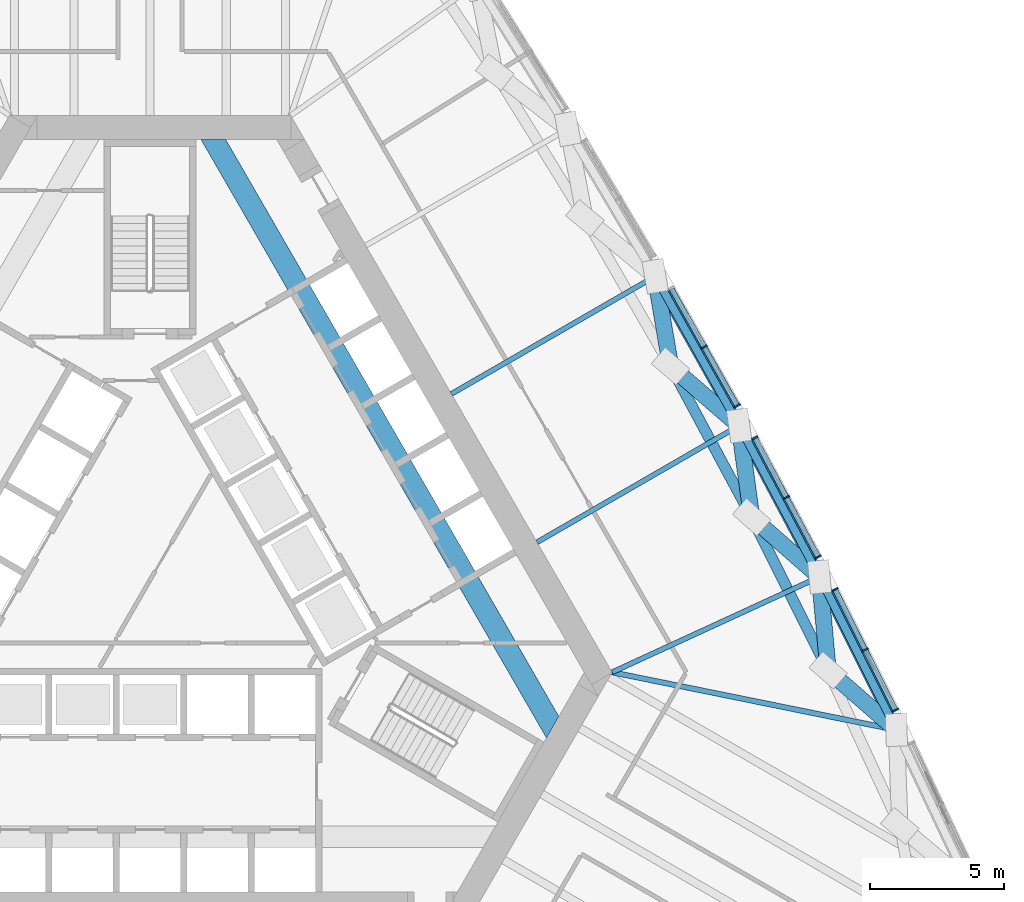
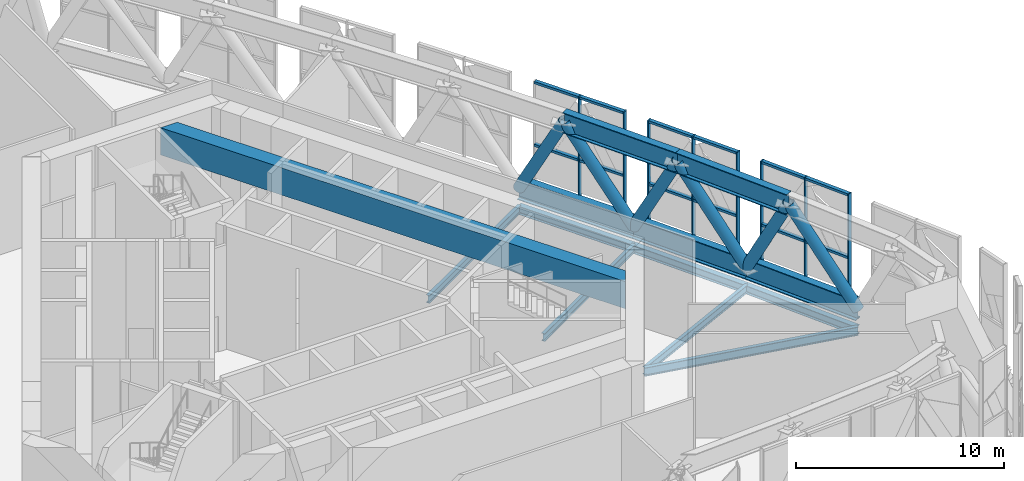
# One storey, part 7 of 33: 31 members, 8 beams, 1 element without a shape of its own.
"""IFC4 building model written with IfcOpenShell, lengths in metres."""

import ifcopenshell
import ifcopenshell.guid

model = None  # the IFC model being written
_history = None  # IfcOwnerHistory: only IFC2X3 demands one
_inside = {}  # id of a spatial element -> (the spatial element, [elements in it])
_under = {}  # id of a project, library or spatial element -> (it, [spatial elements below it])
_declared = {}  # id of a project -> (the project, [libraries it declares])
_typed = {}  # id of a type object -> (the type object, [elements of that type])
_made_of = {}  # id of a material, layer set ... -> (it, [elements and type objects made of it])


def new_model(schema):
    """Start an empty IFC model of exactly this schema.

    Asked for "IFC4X3", IfcOpenShell would pick the latest addendum, in which some entities
    have other attributes; the version numbers below select the first issue.
    IFC2X3 requires an IfcOwnerHistory on every rooted entity: one is made here for all.
    """
    global model, _history
    if schema == "IFC4X3":
        model = ifcopenshell.file(schema_version=(4, 3, 0, 0))
    else:
        model = ifcopenshell.file(schema=schema)
    _inside.clear()
    _under.clear()
    _declared.clear()
    _typed.clear()
    _made_of.clear()
    _history = None
    if model.schema == "IFC2X3":
        org = make("IfcOrganization", Name="unknown")
        user = make(
            "IfcPersonAndOrganization",
            ThePerson=make("IfcPerson", FamilyName="unknown"),
            TheOrganization=org,
        )
        app = make(
            "IfcApplication",
            ApplicationDeveloper=org,
            Version="unknown",
            ApplicationFullName="unknown",
            ApplicationIdentifier="unknown",
        )
        _history = make(
            "IfcOwnerHistory",
            OwningUser=user,
            OwningApplication=app,
            ChangeAction="ADDED",
            CreationDate=0,
        )
    return model


def make(cls, **values):
    """One entity of the class cls with the attributes given. An attribute that is None is left unset."""
    return model.create_entity(
        cls, **{name: value for name, value in values.items() if value is not None}
    )


def rooted(cls, **values):
    """An entity with a GlobalId (a new one), such as an element, a storey or a relation."""
    return make(cls, GlobalId=ifcopenshell.guid.new(), OwnerHistory=_history, **values)


def si_unit(unit_type, name, prefix=None):
    """IfcSIUnit, for example si_unit("LENGTHUNIT", "METRE", prefix="MILLI")."""
    return make("IfcSIUnit", UnitType=unit_type, Prefix=prefix, Name=name)


def assignment(units):
    """IfcUnitAssignment: the units of a project."""
    return None if units is None else make("IfcUnitAssignment", Units=units)


def point(xyz):
    """IfcCartesianPoint."""
    return None if xyz is None else make("IfcCartesianPoint", Coordinates=xyz)


def direction(xyz):
    """IfcDirection."""
    return None if xyz is None else make("IfcDirection", DirectionRatios=xyz)


def frame(location, z_axis=None, x_axis=None):
    """IfcAxis2Placement3D, a coordinate frame: its origin and axes. An axis left out is left unset."""
    return make(
        "IfcAxis2Placement3D",
        Location=point(location),
        Axis=direction(z_axis),
        RefDirection=direction(x_axis),
    )


def frame_2d(location, x_axis=None):
    """IfcAxis2Placement2D, a coordinate frame in the plane: its origin and x axis."""
    return make(
        "IfcAxis2Placement2D", Location=point(location), RefDirection=direction(x_axis)
    )


def origin():
    """The frame at (0, 0, 0) with its axes left unset."""
    return frame((0.0, 0.0, 0.0))


def origin_2d():
    """The frame at (0, 0) in the plane with its x axis left unset."""
    return frame_2d((0.0, 0.0))


def place(relative_to, where):
    """IfcLocalPlacement: puts the frame where relative to a parent placement (None: the world)."""
    return make(
        "IfcLocalPlacement", PlacementRelTo=relative_to, RelativePlacement=where
    )


def context(
    kind, dimensions, precision=None, world=None, true_north=None, identifier=None
):
    """IfcGeometricRepresentationContext, for example the 3D "Model" context."""
    return make(
        "IfcGeometricRepresentationContext",
        ContextIdentifier=identifier,
        ContextType=kind,
        CoordinateSpaceDimension=dimensions,
        Precision=precision,
        WorldCoordinateSystem=world,
        TrueNorth=true_north,
    )


def subcontext(parent, identifier, kind, view, scale=None):
    """IfcGeometricRepresentationSubContext, for example "Body" below "Model"."""
    return make(
        "IfcGeometricRepresentationSubContext",
        ContextIdentifier=identifier,
        ContextType=kind,
        ParentContext=parent,
        TargetScale=scale,
        TargetView=view,
    )


def project(units=None, contexts=None):
    """IfcProject with its units and contexts."""
    return rooted(
        "IfcProject",
        Name="project",
        RepresentationContexts=contexts,
        UnitsInContext=assignment(units),
    )


def spatial(cls, under=None, at=None, **own):
    """A site, building, storey or space (cls), placed at a placement, below another one or the project."""
    s = rooted(cls, ObjectPlacement=at, **own)
    if under is not None:
        _under.setdefault(under.id(), (under, []))[1].append(s)
    return s


def polyline(points):
    """IfcPolyline through the points."""
    return make("IfcPolyline", Points=[point(p) for p in points])


def profile(cls, at=None, kind="AREA", **sizes):
    """A parametric profile (cls). Its sizes go by their IFC names, for example OverallWidth=200.0."""
    return make(cls, ProfileType=kind, Position=at, **sizes)


def rectangle(**sizes):
    """IfcRectangleProfileDef."""
    return profile("IfcRectangleProfileDef", **sizes)


def hollow_circle(**sizes):
    """IfcCircleHollowProfileDef."""
    return profile("IfcCircleHollowProfileDef", **sizes)


def i_section(**sizes):
    """IfcIShapeProfileDef."""
    return profile("IfcIShapeProfileDef", **sizes)


def outline(outer, holes=None, kind="AREA"):
    """IfcArbitraryClosedProfileDef: a profile drawn as a closed curve; with holes, ...WithVoids."""
    if holes is None:
        return make("IfcArbitraryClosedProfileDef", ProfileType=kind, OuterCurve=outer)
    return make(
        "IfcArbitraryProfileDefWithVoids",
        ProfileType=kind,
        OuterCurve=outer,
        InnerCurves=holes,
    )


def extrude(swept, where, along, depth):
    """IfcExtrudedAreaSolid: the profile swept, set in the frame where, extruded along a direction by depth."""
    return make(
        "IfcExtrudedAreaSolid",
        SweptArea=swept,
        Position=where,
        ExtrudedDirection=direction(along),
        Depth=depth,
    )


def shape(context_of_items, identifier, shape_type, items):
    """IfcShapeRepresentation: the items that make up one representation, for example the "Body"."""
    return make(
        "IfcShapeRepresentation",
        ContextOfItems=context_of_items,
        RepresentationIdentifier=identifier,
        RepresentationType=shape_type,
        Items=items,
    )


def material(Name=None, Category=None):
    """IfcMaterial."""
    return make("IfcMaterial", Name=Name, Category=Category)


def material_profile(
    of_material, cross_section, Name=None, Category=None, Priority=None
):
    """IfcMaterialProfile: a cross section and its material."""
    return make(
        "IfcMaterialProfile",
        Name=Name,
        Material=of_material,
        Profile=cross_section,
        Priority=Priority,
        Category=Category,
    )


def profile_set(profiles, Name=None, composite=None):
    """IfcMaterialProfileSet."""
    return make(
        "IfcMaterialProfileSet",
        Name=Name,
        MaterialProfiles=profiles,
        CompositeProfile=composite,
    )


def made_of(thing, what):
    """Note that an element or type object is made of a material, layer set ...; save() writes the relation."""
    if what is not None:
        _made_of.setdefault(what.id(), (what, []))[1].append(thing)
    return thing


def type_object(cls, material=None, **own):
    """A type object (cls), such as IfcWallType, which elements share."""
    return made_of(rooted(cls, **own), material)


def element(
    cls,
    number,
    at=None,
    inside=None,
    cuts=None,
    type_object=None,
    material=None,
    context=None,
    identifier="Body",
    shape_type=None,
    held_by="IfcProductDefinitionShape",
    body=None,
    shapes=None,
    **own,
):
    """One element of the class cls, such as IfcWall. Its Tag is "e" and its number.

    at: its placement. inside: the storey or other place that contains it. cuts: it is an
    opening in that element (IfcRelVoidsElement). A single representation is given by context,
    identifier, shape_type and body (its items); several are given by shapes. held_by: the class
    of the entity that holds the representations. save() writes the other relations.
    """
    e = rooted(cls, Tag="e%d" % number, ObjectPlacement=at, **own)
    if body is not None:
        shapes = [shape(context, identifier, shape_type, body)]
    if shapes is not None:
        e.Representation = make(held_by, Representations=shapes)
    if inside is not None:
        _inside.setdefault(inside.id(), (inside, []))[1].append(e)
    if cuts is not None:
        rooted(
            "IfcRelVoidsElement", RelatingBuildingElement=cuts, RelatedOpeningElement=e
        )
    if type_object is not None:
        _typed.setdefault(type_object.id(), (type_object, []))[1].append(e)
    return made_of(e, material)


def aggregate(whole, parts):
    """IfcRelAggregates: a whole, such as a stair, and the parts it consists of."""
    return rooted("IfcRelAggregates", RelatingObject=whole, RelatedObjects=parts)


def save(model, path):
    """Write the relations noted so far, then the file.

    IfcRelAggregates (storeys below a building ...), IfcRelContainedInSpatialStructure (elements
    in a storey), IfcRelDefinesByType, IfcRelAssociatesMaterial and IfcRelDeclares: one each for
    every whole, place, type object, material and project.
    """
    for whole, parts in _under.values():
        aggregate(whole, parts)
    for where, things in _inside.values():
        rooted(
            "IfcRelContainedInSpatialStructure",
            RelatedElements=things,
            RelatingStructure=where,
        )
    for kind, things in _typed.values():
        rooted("IfcRelDefinesByType", RelatedObjects=things, RelatingType=kind)
    for what, things in _made_of.values():
        rooted("IfcRelAssociatesMaterial", RelatedObjects=things, RelatingMaterial=what)
    for by, libraries in _declared.values():
        rooted("IfcRelDeclares", RelatingContext=by, RelatedDefinitions=libraries)
    model.write(path)


model = new_model("IFC4")

# Units and contexts
model_context = context("Model", 3, precision=1e-05, world=origin(), true_north=direction((0.0, 1.0)))
body_context = subcontext(model_context, "Body", "Model", "MODEL_VIEW")
ifc_project = project(units=[si_unit("LENGTHUNIT", "METRE"), si_unit("AREAUNIT", "SQUARE_METRE"), si_unit("VOLUMEUNIT", "CUBIC_METRE"), si_unit("PLANEANGLEUNIT", "RADIAN"), si_unit("MASSUNIT", "GRAM", prefix="KILO")], contexts=[model_context])

# Site, building, storey
site_placement = place(None, origin())
site = spatial("IfcSite", under=ifc_project, at=site_placement, CompositionType="ELEMENT")
building_placement = place(site_placement, origin())
building = spatial("IfcBuilding", under=site, at=building_placement, Name="Mestral Congress Tower", CompositionType="ELEMENT")
storey_placement = place(building_placement, frame((0.0, 0.0, 134.39990234375)))
storey = spatial("IfcBuildingStorey", under=building, at=storey_placement, Name="L32", CompositionType="ELEMENT", Elevation=134.39990234375)

# Members
ifc_material_1 = material(Name="Steel S355", Category="steel")
ifc_material_profile_1 = material_profile(ifc_material_1, i_section(OverallWidth=0.39990234375, OverallDepth=1.199951171875, WebThickness=0.02001953125, FlangeThickness=0.0400390625, FilletRadius=0.010009765625, at=origin_2d()), Name="WPG 1200")
ifc_profile_set_1 = profile_set([ifc_material_profile_1], Name="Steel S355")
member_type_1 = type_object("IfcMemberType", Name="Belt chord WPG 1200 S355", PredefinedType="CHORD", material=ifc_profile_set_1)
member_1_placement = place(storey_placement, frame((27.8828125, -6.0537109375, 0.60009765625), z_axis=(-0.448555936264, 0.893754760571, 0.0), x_axis=(-0.893754760571, -0.448555936264, 0.0)))
element("IfcMember", 1, at=member_1_placement, inside=storey, type_object=member_type_1, Name="MB-L32-BC2-E01", PredefinedType="CHORD", context=body_context, shape_type="SweptSolid", body=[
    extrude(i_section(OverallWidth=0.39990234375, OverallDepth=1.199951171875, WebThickness=0.02001953125, FlangeThickness=0.0400390625, FilletRadius=0.010009765625, at=origin_2d()), origin(), (0.0, 0.0, 1.0), 6.399658203125),
])
for number, where, z_axis, x_axis, name in (
    (2, (25.01220703125, -0.333984375, 0.60009765625), (-0.469292819228, 0.88304260929, 0.0), (-0.88304260929, -0.469292819228, 0.0), "MB-L32-BC2-E02"),
    (3, (22.0087890625, 5.3173828125, 0.60009765625), (-0.489860914929, 0.871800598775, 0.0), (-0.871800598775, -0.489860914929, 0.0), "MB-L32-BC2-E03"),
    (4, (25.332275390625, -3.831787109375, 6.35009765625), (-0.446252014681, 0.894907335646, 0.0), (-0.894907335646, -0.446252014681, 0.0), "MB-L32-TC2-E01"),
):
    element("IfcMember", number, at=place(storey_placement, frame(where, z_axis=z_axis, x_axis=x_axis)), inside=storey, type_object=member_type_1, Name=name, PredefinedType="CHORD", context=body_context, shape_type="SweptSolid", body=[
        extrude(i_section(OverallWidth=0.39990234375, OverallDepth=1.199951171875, WebThickness=0.02001953125, FlangeThickness=0.0400390625, FilletRadius=0.010009765625, at=origin_2d()), origin(), (0.0, 0.0, 1.0), 6.39990234375),
    ])
member_2_placement = place(storey_placement, frame((22.476318359375, 1.8955078125, 6.35009765625), z_axis=(-0.473312507767, 0.880894585062, 0.0), x_axis=(-0.880894585062, -0.473312507767, 0.0)))
element("IfcMember", 5, at=member_2_placement, inside=storey, type_object=member_type_1, Name="MB-L32-TC2-E02", PredefinedType="CHORD", context=body_context, shape_type="SweptSolid", body=[
    extrude(i_section(OverallWidth=0.39990234375, OverallDepth=1.199951171875, WebThickness=0.02001953125, FlangeThickness=0.0400390625, FilletRadius=0.010009765625, at=origin_2d()), origin(), (0.0, 0.0, 1.0), 6.399658203125),
])
ifc_material_profile_2 = material_profile(ifc_material_1, hollow_circle(Radius=0.304931640625, WallThickness=0.02490234375, at=origin_2d()), Name="CHS 610x25")
ifc_profile_set_2 = profile_set([ifc_material_profile_2], Name="Steel S355")
member_type_2 = type_object("IfcMemberType", Name="Belt diagonal CHS 610x25 S355", PredefinedType="BRACE", material=ifc_profile_set_2)
member_3_placement = place(storey_placement, frame((27.8828125, -6.0537109375, 0.60009765625), z_axis=(-0.382321552248, 0.333062931656, 0.861916071461), x_axis=(-0.656862823729, -0.754010099934, 0.0)))
element("IfcMember", 6, at=member_3_placement, inside=storey, type_object=member_type_2, Name="MD-L32-BD2-E01.E01", PredefinedType="BRACE", context=body_context, shape_type="SweptSolid", body=[
    extrude(hollow_circle(Radius=0.304931640625, WallThickness=0.02490234375, at=origin_2d()), origin(), (0.0, 0.0, 1.0), 6.671142578125),
])
member_4_placement = place(storey_placement, frame((25.01220703125, -0.333984375, 0.60009765625), z_axis=(0.047502545747, -0.519122023585, 0.853379067459), x_axis=(0.995839476972, 0.09112483802, 0.0)))
element("IfcMember", 7, at=member_4_placement, inside=storey, type_object=member_type_2, Name="MD-L32-BD2-E02.E01", PredefinedType="BRACE", context=body_context, shape_type="SweptSolid", body=[
    extrude(hollow_circle(Radius=0.304931640625, WallThickness=0.02490234375, at=origin_2d()), origin(), (0.0, 0.0, 1.0), 6.738037109375),
])
member_5_placement = place(storey_placement, frame((25.01220703125, -0.333984375, 0.60009765625), z_axis=(-0.380300213818, 0.33435078007, 0.862311604489), x_axis=(-0.660279017677, -0.751020385087, 0.0)))
element("IfcMember", 8, at=member_5_placement, inside=storey, type_object=member_type_2, Name="MD-L32-BD2-E02.E02", PredefinedType="BRACE", context=body_context, shape_type="SweptSolid", body=[
    extrude(hollow_circle(Radius=0.304931640625, WallThickness=0.02490234375, at=origin_2d()), origin(), (0.0, 0.0, 1.0), 6.668212890625),
])
member_6_placement = place(storey_placement, frame((22.0087890625, 5.3173828125, 0.60009765625), z_axis=(0.069702656003, -0.510157925088, 0.857251673207), x_axis=(0.990794860837, 0.135371872039, 0.0)))
element("IfcMember", 9, at=member_6_placement, inside=storey, type_object=member_type_2, Name="MD-L32-BD2-E03.E02", PredefinedType="BRACE", context=body_context, shape_type="SweptSolid", body=[
    extrude(hollow_circle(Radius=0.304931640625, WallThickness=0.02490234375, at=origin_2d()), origin(), (0.0, 0.0, 1.0), 6.70751953125),
])
member_7_placement = place(storey_placement, frame((22.0087890625, 5.3173828125, 0.60009765625), z_axis=(-0.383847677747, 0.332007022069, 0.86164511116), x_axis=(-0.654186484445, -0.756333288683, 0.0)))
element("IfcMember", 10, at=member_7_placement, inside=storey, type_object=member_type_2, Name="MD-L32-BD2-E03.E03", PredefinedType="BRACE", context=body_context, shape_type="SweptSolid", body=[
    extrude(hollow_circle(Radius=0.304931640625, WallThickness=0.02490234375, at=origin_2d()), origin(), (0.0, 0.0, 1.0), 6.67333984375),
])
member_8_placement = place(storey_placement, frame((18.873779296875, 10.896728515625, 0.60009765625), z_axis=(0.085770619954, -0.503085398777, 0.859970047321), x_axis=(0.985776059223, 0.168064157578, 0.0)))
element("IfcMember", 11, at=member_8_placement, inside=storey, type_object=member_type_2, Name="MD-L32-BD2-E04.E03", PredefinedType="BRACE", context=body_context, shape_type="SweptSolid", body=[
    extrude(hollow_circle(Radius=0.304931640625, WallThickness=0.02490234375, at=origin_2d()), origin(), (0.0, 0.0, 1.0), 6.686279296875),
])

# Beam
ifc_material_2 = material(Name="Concrete C60/75", Category="concrete")
beam_type_1 = type_object("IfcBeamType", Name="Core transfer wall beam RC 800x1600", PredefinedType="BEAM", material=ifc_material_2)
beam_1_placement = place(storey_placement, frame((0.0, 0.0, 5.35009765625)))
element("IfcBeam", 12, at=beam_1_placement, inside=storey, type_object=beam_type_1, Name="L32 core transfer wall beam", PredefinedType="BEAM", context=body_context, shape_type="SweptSolid", body=[
    extrude(outline(polyline([(15.27099609375, -5.550048828125), (14.80908203125, -6.35009765625), (1.9052734375, 16.0), (2.8291015625, 16.0), (15.27099609375, -5.550048828125)])), origin(), (0.0, 0.0, 1.0), 1.60009765625),
])

# Curtain wall, members
ifc_material_3 = material(Name="Clear low-emissivity double glazing", Category="glass")
curtain_wall_type = type_object("IfcCurtainWallType", Name="Facade sky lobby curtain wall", PredefinedType="USERDEFINED", material=ifc_material_3)
curtain_wall_placement = place(storey_placement, origin())
curtain_wall = element("IfcCurtainWall", 13, at=curtain_wall_placement, inside=storey, type_object=curtain_wall_type, Name="Facade sky lobby curtain wall face 2", ObjectType="CURTAIN WALL", PredefinedType="USERDEFINED")
ifc_material_4 = material(Name="Anodised aluminium", Category="aluminium")
ifc_material_profile_3 = material_profile(ifc_material_4, rectangle(XDim=0.25, YDim=0.06005859375, at=origin_2d()), Name="CW1 mullion 250 x 60")
ifc_profile_set_3 = profile_set([ifc_material_profile_3], Name="Anodised aluminium")
member_type_3 = type_object("IfcMemberType", Name="Facade sky lobby curtain wall mullion", PredefinedType="MULLION", material=ifc_profile_set_3)
member_9_placement = place(storey_placement, frame((27.84619140625, -5.311767578125, 0.0), z_axis=(0.0, 0.0, 1.0), x_axis=(0.893761587201, 0.448542333838, 0.0)))
member_9 = element("IfcMember", 14, at=member_9_placement, type_object=member_type_3, Name="Facade sky lobby curtain wall mullion", PredefinedType="MULLION", context=body_context, shape_type="SweptSolid", body=[
    extrude(rectangle(XDim=0.25, YDim=0.06005859375, at=origin_2d()), origin(), (0.0, 0.0, 1.0), 6.9501953125),
])
member_10_placement = place(storey_placement, frame((26.7158203125, -3.059326171875, 0.0), z_axis=(0.0, 0.0, 1.0), x_axis=(0.893761587201, 0.448542333838, 0.0)))
member_10 = element("IfcMember", 15, at=member_10_placement, type_object=member_type_3, Name="Facade sky lobby curtain wall mullion", PredefinedType="MULLION", context=body_context, shape_type="SweptSolid", body=[
    extrude(rectangle(XDim=0.25, YDim=0.06005859375, at=origin_2d()), origin(), (0.0, 0.0, 1.0), 6.9501953125),
])
member_11_placement = place(storey_placement, frame((25.58544921875, -0.806884765625, 0.0), z_axis=(0.0, 0.0, 1.0), x_axis=(0.893761587201, 0.448542333838, 0.0)))
member_11 = element("IfcMember", 16, at=member_11_placement, type_object=member_type_3, Name="Facade sky lobby curtain wall mullion", PredefinedType="MULLION", context=body_context, shape_type="SweptSolid", body=[
    extrude(rectangle(XDim=0.25, YDim=0.06005859375, at=origin_2d()), origin(), (0.0, 0.0, 1.0), 6.9501953125),
])
member_12_placement = place(storey_placement, frame((24.958251953125, 0.406982421875, 0.0), z_axis=(0.0, 0.0, 1.0), x_axis=(0.883024602926, 0.469326699248, 0.0)))
member_12 = element("IfcMember", 17, at=member_12_placement, type_object=member_type_3, Name="Facade sky lobby curtain wall mullion", PredefinedType="MULLION", context=body_context, shape_type="SweptSolid", body=[
    extrude(rectangle(XDim=0.25, YDim=0.06005859375, at=origin_2d()), origin(), (0.0, 0.0, 1.0), 6.9501953125),
])
member_13_placement = place(storey_placement, frame((23.775390625, 2.632568359375, 0.0), z_axis=(0.0, 0.0, 1.0), x_axis=(0.883024602926, 0.469326699248, 0.0)))
member_13 = element("IfcMember", 18, at=member_13_placement, type_object=member_type_3, Name="Facade sky lobby curtain wall mullion", PredefinedType="MULLION", context=body_context, shape_type="SweptSolid", body=[
    extrude(rectangle(XDim=0.25, YDim=0.06005859375, at=origin_2d()), origin(), (0.0, 0.0, 1.0), 6.9501953125),
])
member_14_placement = place(storey_placement, frame((22.592529296875, 4.85791015625, 0.0), z_axis=(0.0, 0.0, 1.0), x_axis=(0.883024602926, 0.469326699248, 0.0)))
member_14 = element("IfcMember", 19, at=member_14_placement, type_object=member_type_3, Name="Facade sky lobby curtain wall mullion", PredefinedType="MULLION", context=body_context, shape_type="SweptSolid", body=[
    extrude(rectangle(XDim=0.25, YDim=0.06005859375, at=origin_2d()), origin(), (0.0, 0.0, 1.0), 6.9501953125),
])
member_15_placement = place(storey_placement, frame((21.937255859375, 6.056884765625, 0.0), z_axis=(0.0, 0.0, 1.0), x_axis=(0.871814622705, 0.489835955844, 0.0)))
member_15 = element("IfcMember", 20, at=member_15_placement, type_object=member_type_3, Name="Facade sky lobby curtain wall mullion", PredefinedType="MULLION", context=body_context, shape_type="SweptSolid", body=[
    extrude(rectangle(XDim=0.25, YDim=0.06005859375, at=origin_2d()), origin(), (0.0, 0.0, 1.0), 6.9501953125),
])
member_16_placement = place(storey_placement, frame((20.702880859375, 8.25390625, 0.0), z_axis=(0.0, 0.0, 1.0), x_axis=(0.871814622705, 0.489835955844, 0.0)))
member_16 = element("IfcMember", 21, at=member_16_placement, type_object=member_type_3, Name="Facade sky lobby curtain wall mullion", PredefinedType="MULLION", context=body_context, shape_type="SweptSolid", body=[
    extrude(rectangle(XDim=0.25, YDim=0.06005859375, at=origin_2d()), origin(), (0.0, 0.0, 1.0), 6.9501953125),
])
ifc_material_profile_4 = material_profile(ifc_material_4, rectangle(XDim=0.199951171875, YDim=0.139892578125, at=origin_2d()), Name="CW1 transom 200 x 140")
ifc_profile_set_4 = profile_set([ifc_material_profile_4], Name="Anodised aluminium")
member_type_4 = type_object("IfcMemberType", Name="Facade sky lobby curtain wall transom", PredefinedType="USERDEFINED", material=ifc_profile_set_4)
member_17_placement = place(storey_placement, frame((27.832763671875, -5.284912109375, 3.2001953125), z_axis=(-0.448562744168, 0.8937513438, 0.0), x_axis=(-0.8937513438, -0.448562744168, 0.0)))
member_17 = element("IfcMember", 22, at=member_17_placement, type_object=member_type_4, Name="Facade sky lobby curtain wall transom", ObjectType="TRANSOM", PredefinedType="USERDEFINED", context=body_context, shape_type="SweptSolid", body=[
    extrude(rectangle(XDim=0.199951171875, YDim=0.139892578125, at=origin_2d()), origin(), (0.0, 0.0, 1.0), 2.460205078125),
])
member_18_placement = place(storey_placement, frame((27.832763671875, -5.284912109375, 6.880126953125), z_axis=(-0.448562744168, 0.8937513438, 0.0), x_axis=(-0.8937513438, -0.448562744168, 0.0)))
member_18 = element("IfcMember", 23, at=member_18_placement, type_object=member_type_4, Name="Facade sky lobby curtain wall transom", ObjectType="TRANSOM", PredefinedType="USERDEFINED", context=body_context, shape_type="SweptSolid", body=[
    extrude(rectangle(XDim=0.199951171875, YDim=0.139892578125, at=origin_2d()), origin(), (0.0, 0.0, 1.0), 2.460205078125),
])
member_19_placement = place(storey_placement, frame((26.702392578125, -3.032470703125, 3.2001953125), z_axis=(-0.448562744168, 0.8937513438, 0.0), x_axis=(-0.8937513438, -0.448562744168, 0.0)))
member_19 = element("IfcMember", 24, at=member_19_placement, type_object=member_type_4, Name="Facade sky lobby curtain wall transom", ObjectType="TRANSOM", PredefinedType="USERDEFINED", context=body_context, shape_type="SweptSolid", body=[
    extrude(rectangle(XDim=0.199951171875, YDim=0.139892578125, at=origin_2d()), origin(), (0.0, 0.0, 1.0), 2.460205078125),
])
member_20_placement = place(storey_placement, frame((26.702392578125, -3.032470703125, 6.880126953125), z_axis=(-0.448562744168, 0.8937513438, 0.0), x_axis=(-0.8937513438, -0.448562744168, 0.0)))
member_20 = element("IfcMember", 25, at=member_20_placement, type_object=member_type_4, Name="Facade sky lobby curtain wall transom", ObjectType="TRANSOM", PredefinedType="USERDEFINED", context=body_context, shape_type="SweptSolid", body=[
    extrude(rectangle(XDim=0.199951171875, YDim=0.139892578125, at=origin_2d()), origin(), (0.0, 0.0, 1.0), 2.460205078125),
])
member_21_placement = place(storey_placement, frame((24.944091796875, 0.43359375, 3.2001953125), z_axis=(-0.469305174896, 0.883036042762, 0.0), x_axis=(-0.883036042762, -0.469305174896, 0.0)))
member_21 = element("IfcMember", 26, at=member_21_placement, type_object=member_type_4, Name="Facade sky lobby curtain wall transom", ObjectType="TRANSOM", PredefinedType="USERDEFINED", context=body_context, shape_type="SweptSolid", body=[
    extrude(rectangle(XDim=0.199951171875, YDim=0.139892578125, at=origin_2d()), origin(), (0.0, 0.0, 1.0), 2.460205078125),
])
member_22_placement = place(storey_placement, frame((24.944091796875, 0.43359375, 6.880126953125), z_axis=(-0.469305174896, 0.883036042762, 0.0), x_axis=(-0.883036042762, -0.469305174896, 0.0)))
member_22 = element("IfcMember", 27, at=member_22_placement, type_object=member_type_4, Name="Facade sky lobby curtain wall transom", ObjectType="TRANSOM", PredefinedType="USERDEFINED", context=body_context, shape_type="SweptSolid", body=[
    extrude(rectangle(XDim=0.199951171875, YDim=0.139892578125, at=origin_2d()), origin(), (0.0, 0.0, 1.0), 2.460205078125),
])
member_23_placement = place(storey_placement, frame((23.761474609375, 2.658935546875, 3.2001953125), z_axis=(-0.469382552013, 0.882994914971, 0.0), x_axis=(-0.882994914971, -0.469382552013, 0.0)))
member_23 = element("IfcMember", 28, at=member_23_placement, type_object=member_type_4, Name="Facade sky lobby curtain wall transom", ObjectType="TRANSOM", PredefinedType="USERDEFINED", context=body_context, shape_type="SweptSolid", body=[
    extrude(rectangle(XDim=0.199951171875, YDim=0.139892578125, at=origin_2d()), origin(), (0.0, 0.0, 1.0), 2.460205078125),
])
member_24_placement = place(storey_placement, frame((23.761474609375, 2.658935546875, 6.880126953125), z_axis=(-0.469382552013, 0.882994914971, 0.0), x_axis=(-0.882994914971, -0.469382552013, 0.0)))
member_24 = element("IfcMember", 29, at=member_24_placement, type_object=member_type_4, Name="Facade sky lobby curtain wall transom", ObjectType="TRANSOM", PredefinedType="USERDEFINED", context=body_context, shape_type="SweptSolid", body=[
    extrude(rectangle(XDim=0.199951171875, YDim=0.139892578125, at=origin_2d()), origin(), (0.0, 0.0, 1.0), 2.460205078125),
])
member_25_placement = place(storey_placement, frame((21.922607421875, 6.0830078125, 3.2001953125), z_axis=(-0.48984184817, 0.871811312029, 0.0), x_axis=(-0.871811312029, -0.48984184817, 0.0)))
member_25 = element("IfcMember", 30, at=member_25_placement, type_object=member_type_4, Name="Facade sky lobby curtain wall transom", ObjectType="TRANSOM", PredefinedType="USERDEFINED", context=body_context, shape_type="SweptSolid", body=[
    extrude(rectangle(XDim=0.199951171875, YDim=0.139892578125, at=origin_2d()), origin(), (0.0, 0.0, 1.0), 2.460205078125),
])
member_26_placement = place(storey_placement, frame((21.922607421875, 6.0830078125, 6.880126953125), z_axis=(-0.48984184817, 0.871811312029, 0.0), x_axis=(-0.871811312029, -0.48984184817, 0.0)))
member_26 = element("IfcMember", 31, at=member_26_placement, type_object=member_type_4, Name="Facade sky lobby curtain wall transom", ObjectType="TRANSOM", PredefinedType="USERDEFINED", context=body_context, shape_type="SweptSolid", body=[
    extrude(rectangle(XDim=0.199951171875, YDim=0.139892578125, at=origin_2d()), origin(), (0.0, 0.0, 1.0), 2.460205078125),
])
member_27_placement = place(storey_placement, frame((20.68798828125, 8.2802734375, 3.2001953125), z_axis=(-0.489766415861, 0.871853690647, 0.0), x_axis=(-0.871853690647, -0.489766415861, 0.0)))
member_27 = element("IfcMember", 32, at=member_27_placement, type_object=member_type_4, Name="Facade sky lobby curtain wall transom", ObjectType="TRANSOM", PredefinedType="USERDEFINED", context=body_context, shape_type="SweptSolid", body=[
    extrude(rectangle(XDim=0.199951171875, YDim=0.139892578125, at=origin_2d()), origin(), (0.0, 0.0, 1.0), 2.4599609375),
])
member_28_placement = place(storey_placement, frame((20.68798828125, 8.2802734375, 6.880126953125), z_axis=(-0.489766415861, 0.871853690647, 0.0), x_axis=(-0.871853690647, -0.489766415861, 0.0)))
member_28 = element("IfcMember", 33, at=member_28_placement, type_object=member_type_4, Name="Facade sky lobby curtain wall transom", ObjectType="TRANSOM", PredefinedType="USERDEFINED", context=body_context, shape_type="SweptSolid", body=[
    extrude(rectangle(XDim=0.199951171875, YDim=0.139892578125, at=origin_2d()), origin(), (0.0, 0.0, 1.0), 2.4599609375),
])
aggregate(curtain_wall, [member_9, member_10, member_11, member_17, member_18, member_19, member_20, member_12, member_13, member_14, member_21, member_22, member_23, member_24, member_15, member_16, member_25, member_26, member_27, member_28])

# Beams
ifc_material_profile_5 = material_profile(ifc_material_1, i_section(OverallWidth=0.18994140625, OverallDepth=0.449951171875, WebThickness=0.009521484375, FlangeThickness=0.0146484375, FilletRadius=0.02099609375, at=origin_2d()), Name="IPE 450")
ifc_profile_set_5 = profile_set([ifc_material_profile_5], Name="Steel S355")
beam_type_2 = type_object("IfcBeamType", Name="Floor beam IPE 450 S355", PredefinedType="BEAM", material=ifc_profile_set_5)
beam_2_placement = place(storey_placement, frame((25.01220703125, -0.333984375, -0.625), z_axis=(-0.908439594169, -0.418016152493, 0.0), x_axis=(0.418016152493, -0.908439594169, 0.0)))
element("IfcBeam", 34, at=beam_2_placement, inside=storey, type_object=beam_type_2, Name="BM-L32-RB2-E02", PredefinedType="BEAM", context=body_context, shape_type="SweptSolid", body=[
    extrude(i_section(OverallWidth=0.18994140625, OverallDepth=0.449951171875, WebThickness=0.009521484375, FlangeThickness=0.0146484375, FilletRadius=0.02099609375, at=origin_2d()), origin(), (0.0, 0.0, 1.0), 8.530517578125),
])
beam_3_placement = place(storey_placement, frame((22.0087890625, 5.3173828125, -0.625), z_axis=(-0.866028909405, -0.499993928037, 0.0), x_axis=(0.499993928037, -0.866028909405, 0.0)))
element("IfcBeam", 35, at=beam_3_placement, inside=storey, type_object=beam_type_2, Name="BM-L32-RB2-E03", PredefinedType="BEAM", context=body_context, shape_type="SweptSolid", body=[
    extrude(i_section(OverallWidth=0.18994140625, OverallDepth=0.449951171875, WebThickness=0.009521484375, FlangeThickness=0.0146484375, FilletRadius=0.02099609375, at=origin_2d()), origin(), (0.0, 0.0, 1.0), 8.71875),
])
beam_4_placement = place(storey_placement, frame((18.873779296875, 10.896728515625, -0.625), z_axis=(-0.866028853432, -0.499994024988, 0.0), x_axis=(0.499994024988, -0.866028853432, 0.0)))
element("IfcBeam", 36, at=beam_4_placement, inside=storey, type_object=beam_type_2, Name="BM-L32-RB2-E04", PredefinedType="BEAM", context=body_context, shape_type="SweptSolid", body=[
    extrude(i_section(OverallWidth=0.18994140625, OverallDepth=0.449951171875, WebThickness=0.009521484375, FlangeThickness=0.0146484375, FilletRadius=0.02099609375, at=origin_2d()), origin(), (0.0, 0.0, 1.0), 8.79345703125),
])
ifc_material_profile_6 = material_profile(ifc_material_1, i_section(OverallWidth=0.199951171875, OverallDepth=0.5, WebThickness=0.01025390625, FlangeThickness=0.01611328125, FilletRadius=0.02099609375, at=origin_2d()), Name="IPE 500")
ifc_profile_set_6 = profile_set([ifc_material_profile_6], Name="Steel S355")
beam_type_3 = type_object("IfcBeamType", Name="Floor beam IPE 500 S355", PredefinedType="BEAM", material=ifc_profile_set_6)
beam_5_placement = place(storey_placement, frame((27.8828125, -6.0537109375, -0.64990234375), z_axis=(-0.980048529021, 0.198758347656, 0.0), x_axis=(-0.198758347656, -0.980048529021, 0.0)))
element("IfcBeam", 37, at=beam_5_placement, inside=storey, type_object=beam_type_3, Name="BM-L32-RB2-E01", PredefinedType="BEAM", context=body_context, shape_type="SweptSolid", body=[
    extrude(i_section(OverallWidth=0.199951171875, OverallDepth=0.5, WebThickness=0.01025390625, FlangeThickness=0.01611328125, FilletRadius=0.02099609375, at=origin_2d()), origin(), (0.0, 0.0, 1.0), 10.83642578125),
])
ifc_material_profile_7 = material_profile(ifc_material_1, i_section(OverallWidth=0.300048828125, OverallDepth=0.489990234375, WebThickness=0.011962890625, FlangeThickness=0.02294921875, FilletRadius=0.027099609375, at=origin_2d()), Name="HEA 500")
ifc_profile_set_7 = profile_set([ifc_material_profile_7], Name="Steel S355")
beam_type_4 = type_object("IfcBeamType", Name="Spandrel beam HEA 500 S355", PredefinedType="BEAM", material=ifc_profile_set_7)
beam_6_placement = place(storey_placement, frame((27.8828125, -6.0537109375, -0.64501953125), z_axis=(-0.448555936264, 0.893754760571, 0.0), x_axis=(-0.893754760571, -0.448555936264, 0.0)))
element("IfcBeam", 38, at=beam_6_placement, inside=storey, type_object=beam_type_4, Name="SP-L32-SB2-E01", PredefinedType="BEAM", context=body_context, shape_type="SweptSolid", body=[
    extrude(i_section(OverallWidth=0.300048828125, OverallDepth=0.489990234375, WebThickness=0.011962890625, FlangeThickness=0.02294921875, FilletRadius=0.027099609375, at=origin_2d()), origin(), (0.0, 0.0, 1.0), 6.399658203125),
])
for number, where, z_axis, x_axis, name in (
    (39, (25.01220703125, -0.333984375, -0.64501953125), (-0.469292819228, 0.88304260929, 0.0), (-0.88304260929, -0.469292819228, 0.0), "SP-L32-SB2-E02"),
    (40, (22.0087890625, 5.3173828125, -0.64501953125), (-0.489860914929, 0.871800598775, 0.0), (-0.871800598775, -0.489860914929, 0.0), "SP-L32-SB2-E03"),
):
    element("IfcBeam", number, at=place(storey_placement, frame(where, z_axis=z_axis, x_axis=x_axis)), inside=storey, type_object=beam_type_4, Name=name, PredefinedType="BEAM", context=body_context, shape_type="SweptSolid", body=[
        extrude(i_section(OverallWidth=0.300048828125, OverallDepth=0.489990234375, WebThickness=0.011962890625, FlangeThickness=0.02294921875, FilletRadius=0.027099609375, at=origin_2d()), origin(), (0.0, 0.0, 1.0), 6.39990234375),
    ])

save(model, "model.ifc")
